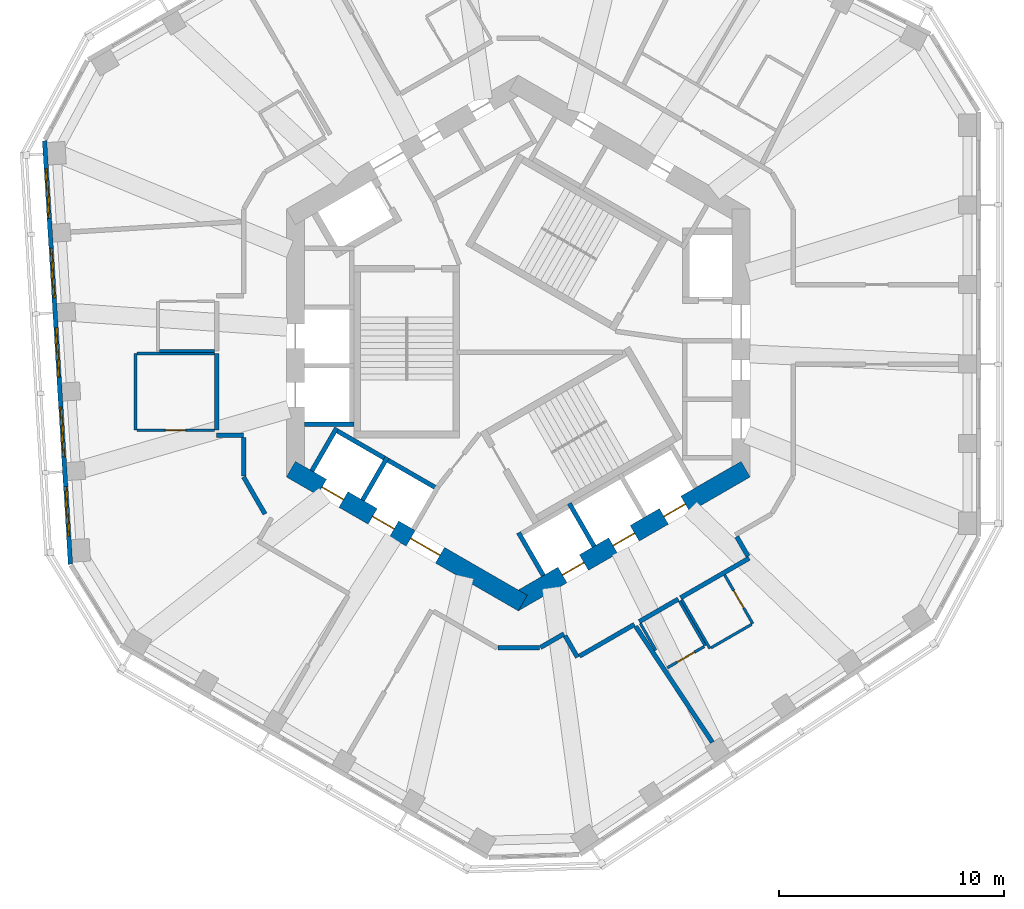
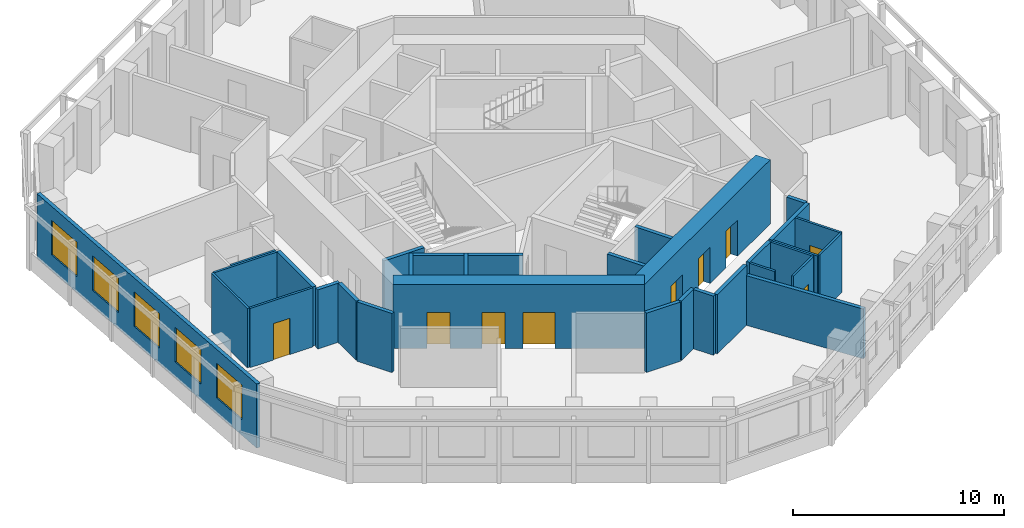
# One storey, part 4 of 11: 31 walls, 9 doors, 5 windows, 14 openings.
"""IFC4 building model written with IfcOpenShell, lengths in metres."""

from ifc_helpers import new_model, si_unit, direction, frame, frame_2d, origin, place, context, subcontext, project, spatial, rectangle, extrude, material, layer, layer_set, type_object, element, fill, save


model = new_model("IFC4")

# Units and contexts
model_context = context("Model", 3, precision=1e-05, world=origin(), true_north=direction((0.0, 1.0)))
body_context = subcontext(model_context, "Body", "Model", "MODEL_VIEW")
ifc_project = project(units=[si_unit("LENGTHUNIT", "METRE"), si_unit("AREAUNIT", "SQUARE_METRE"), si_unit("VOLUMEUNIT", "CUBIC_METRE"), si_unit("PLANEANGLEUNIT", "RADIAN"), si_unit("MASSUNIT", "GRAM", prefix="KILO")], contexts=[model_context])

# Site, building, storey
site_placement = place(None, origin())
site = spatial("IfcSite", under=ifc_project, at=site_placement, CompositionType="ELEMENT")
building_placement = place(site_placement, origin())
building = spatial("IfcBuilding", under=site, at=building_placement, Name="Vanh Sen Convention Tower", CompositionType="ELEMENT")
storey_placement = place(building_placement, frame((0.0, 0.0, 247.60009765625)))
storey = spatial("IfcBuildingStorey", under=building, at=storey_placement, Name="L61", CompositionType="ELEMENT", Elevation=247.60009765625)

# Walls
ifc_material_1 = material(Name="Moisture-resistant gypsum board on steel studs", Category="steel")
ifc_layer_1 = layer(ifc_material_1, 0.1201171875)
ifc_layer_set_1 = layer_set([ifc_layer_1], Name="Moisture-resistant gypsum board on steel studs")
wall_type_1 = type_object("IfcWallType", Name="Bathroom partition 120", PredefinedType="PARTITIONING", material=ifc_layer_set_1)
wall_1_placement = place(storey_placement, frame((-17.0009765625, -3.868896484375, 0.0), z_axis=(0.0, 0.0, 1.0), x_axis=(0.0, 1.0, 0.0)))
element("IfcWall", 1, at=wall_1_placement, inside=storey, type_object=wall_type_1, Name="Bathroom partition 120", PredefinedType="PARTITIONING", context=body_context, shape_type="SweptSolid", body=[
    extrude(rectangle(XDim=3.39990234375, YDim=0.1201171875, at=frame_2d((1.699951171875, 0.0))), origin(), (0.0, 0.0, 1.0), 3.419921875),
])
wall_2_placement = place(storey_placement, frame((-16.94091796875, -0.468994140625, 0.0), z_axis=(0.0, 0.0, 1.0), x_axis=(1.0, 0.0, 0.0)))
element("IfcWall", 2, at=wall_2_placement, inside=storey, type_object=wall_type_1, Name="Bathroom partition 120", PredefinedType="PARTITIONING", context=body_context, shape_type="SweptSolid", body=[
    extrude(rectangle(XDim=3.43994140625, YDim=0.1201171875, at=frame_2d((1.719970703125, 0.0))), origin(), (0.0, 0.0, 1.0), 3.419921875),
])

# Wall, opening, door
wall_3_placement = place(storey_placement, frame((-13.5009765625, -3.868896484375, 0.0), z_axis=(0.0, 0.0, 1.0), x_axis=(-1.0, 0.0, 0.0)))
wall_3 = element("IfcWall", 3, at=wall_3_placement, inside=storey, type_object=wall_type_1, Name="Bathroom partition 120", PredefinedType="PARTITIONING", context=body_context, shape_type="SweptSolid", body=[
    extrude(rectangle(XDim=3.43994140625, YDim=0.1201171875, at=frame_2d((1.719970703125, 0.0))), origin(), (0.0, 0.0, 1.0), 3.419921875),
])
opening_1_placement = place(wall_3_placement, frame((1.27001953125, 0.0, 0.0)))
opening_1 = element("IfcOpeningElement", 4, at=opening_1_placement, cuts=wall_3, Name="Opening D61112", PredefinedType="OPENING", context=body_context, shape_type="SweptSolid", body=[
    extrude(rectangle(XDim=0.89990234375, YDim=2.10009765625, at=frame_2d((0.449951171875, 1.050048828125))), frame((0.0, 0.070068359375, 0.0), z_axis=(0.0, -1.0, 0.0), x_axis=(1.0, 0.0, 0.0)), (0.0, 0.0, 1.0), 0.14013671875),
])
ifc_material_2 = material(Name="Laminate door in steel frame", Category="steel")
door_type_1 = type_object("IfcDoorType", Name="Room internal door 900", OperationType="SINGLE_SWING_LEFT", PredefinedType="DOOR", material=ifc_material_2)
door_1_placement = place(opening_1_placement, origin())
door_1 = element("IfcDoor", 5, at=door_1_placement, inside=storey, type_object=door_type_1, Name="Internal room door D61112", OperationType="SINGLE_SWING_LEFT", OverallHeight=2.10009765625, OverallWidth=0.89990234375, PredefinedType="DOOR", context=body_context, shape_type="SweptSolid", body=[
    extrude(rectangle(XDim=0.89990234375, YDim=2.10009765625, at=frame_2d((0.449951171875, 1.050048828125))), frame((0.0, 0.02490234375, 0.0), z_axis=(0.0, -1.0, 0.0), x_axis=(1.0, 0.0, 0.0)), (0.0, 0.0, 1.0), 0.050048828125),
])
fill(opening_1, door_1)

# Walls
wall_4_placement = place(storey_placement, frame((-13.5009765625, -0.34912109375, 0.0), z_axis=(0.0, 0.0, 1.0), x_axis=(-1.0, 0.0, 0.0)))
element("IfcWall", 6, at=wall_4_placement, inside=storey, type_object=wall_type_1, Name="Bathroom partition 120", PredefinedType="PARTITIONING", context=body_context, shape_type="SweptSolid", body=[
    extrude(rectangle(XDim=2.43994140625, YDim=0.1201171875, at=frame_2d((1.219970703125, 0.0))), origin(), (0.0, 0.0, 1.0), 3.419921875),
])
wall_5_placement = place(storey_placement, frame((6.10693359375, -13.64404296875, 0.0), z_axis=(0.0, 0.0, 1.0), x_axis=(-0.500072492706, 0.865983546056, 0.0)))
element("IfcWall", 7, at=wall_5_placement, inside=storey, type_object=wall_type_1, Name="Bathroom partition 120", PredefinedType="PARTITIONING", context=body_context, shape_type="SweptSolid", body=[
    extrude(rectangle(XDim=1.368408203125, YDim=0.1201171875, at=frame_2d((0.68408203125, 0.0))), origin(), (0.0, 0.0, 1.0), 3.419921875),
])
wall_6_placement = place(storey_placement, frame((7.154541015625, -11.458984375, 0.0), z_axis=(0.0, 0.0, 1.0), x_axis=(0.500077740698, -0.865980515519, 0.0)))
element("IfcWall", 8, at=wall_6_placement, inside=storey, type_object=wall_type_1, Name="Bathroom partition 120", PredefinedType="PARTITIONING", context=body_context, shape_type="SweptSolid", body=[
    extrude(rectangle(XDim=2.300048828125, YDim=0.1201171875, at=frame_2d((1.14990234375, 0.0))), origin(), (0.0, 0.0, 1.0), 3.419921875),
])

# Wall, opening, door
wall_7_placement = place(storey_placement, frame((8.252685546875, -13.480712890625, 0.0), z_axis=(0.0, 0.0, 1.0), x_axis=(-0.866045024864, -0.499966013754, 0.0)))
wall_7 = element("IfcWall", 9, at=wall_7_placement, inside=storey, type_object=wall_type_1, Name="Bathroom partition 120", PredefinedType="PARTITIONING", context=body_context, shape_type="SweptSolid", body=[
    extrude(rectangle(XDim=1.880126953125, YDim=0.1201171875, at=frame_2d((0.93994140625, 0.0))), origin(), (0.0, 0.0, 1.0), 3.419921875),
])
opening_2_placement = place(wall_7_placement, frame((0.489990234375, 0.0, 0.0)))
opening_2 = element("IfcOpeningElement", 10, at=opening_2_placement, cuts=wall_7, Name="Opening D61115", PredefinedType="OPENING", context=body_context, shape_type="SweptSolid", body=[
    extrude(rectangle(XDim=0.89990234375, YDim=2.10009765625, at=frame_2d((0.449951171875, 1.050048828125))), frame((0.0, 0.070068359375, 0.0), z_axis=(0.0, -1.0, 0.0), x_axis=(1.0, 0.0, 0.0)), (0.0, 0.0, 1.0), 0.14013671875),
])
door_2_placement = place(opening_2_placement, origin())
door_2 = element("IfcDoor", 11, at=door_2_placement, inside=storey, type_object=door_type_1, Name="Internal room door D61115", OperationType="SINGLE_SWING_LEFT", OverallHeight=2.10009765625, OverallWidth=0.89990234375, PredefinedType="DOOR", context=body_context, shape_type="SweptSolid", body=[
    extrude(rectangle(XDim=0.89990234375, YDim=2.10009765625, at=frame_2d((0.449951171875, 1.050048828125))), frame((0.0, 0.02490234375, 0.0), z_axis=(0.0, -1.0, 0.0), x_axis=(1.0, 0.0, 0.0)), (0.0, 0.0, 1.0), 0.050048828125),
])
fill(opening_2, door_2)

# Wall
wall_8_placement = place(storey_placement, frame((8.508544921875, -13.56396484375, 0.0), z_axis=(0.0, 0.0, 1.0), x_axis=(-0.500004234368, 0.866022959057, 0.0)))
element("IfcWall", 12, at=wall_8_placement, inside=storey, type_object=wall_type_1, Name="Bathroom partition 120", PredefinedType="PARTITIONING", context=body_context, shape_type="SweptSolid", body=[
    extrude(rectangle(XDim=2.5, YDim=0.1201171875, at=frame_2d((1.25, 0.0))), origin(), (0.0, 0.0, 1.0), 3.419921875),
])

# Wall, opening, door
wall_9_placement = place(storey_placement, frame((9.163818359375, -10.298828125, 0.0), z_axis=(0.0, 0.0, 1.0), x_axis=(0.500004234368, -0.866022959057, 0.0)))
wall_9 = element("IfcWall", 13, at=wall_9_placement, inside=storey, type_object=wall_type_1, Name="Bathroom partition 120", PredefinedType="PARTITIONING", context=body_context, shape_type="SweptSolid", body=[
    extrude(rectangle(XDim=2.5, YDim=0.1201171875, at=frame_2d((1.25, 0.0))), origin(), (0.0, 0.0, 1.0), 3.419921875),
])
opening_3_placement = place(wall_9_placement, frame((0.800048828125, 0.0, 0.0)))
opening_3 = element("IfcOpeningElement", 14, at=opening_3_placement, cuts=wall_9, Name="Opening D61116", PredefinedType="OPENING", context=body_context, shape_type="SweptSolid", body=[
    extrude(rectangle(XDim=0.89990234375, YDim=2.10009765625, at=frame_2d((0.449951171875, 1.050048828125))), frame((0.0, 0.070068359375, 0.0), z_axis=(0.0, -1.0, 0.0), x_axis=(1.0, 0.0, 0.0)), (0.0, 0.0, 1.0), 0.14013671875),
])
door_3_placement = place(opening_3_placement, origin())
door_3 = element("IfcDoor", 15, at=door_3_placement, inside=storey, type_object=door_type_1, Name="Internal room door D61116", OperationType="SINGLE_SWING_LEFT", OverallHeight=2.10009765625, OverallWidth=0.89990234375, PredefinedType="DOOR", context=body_context, shape_type="SweptSolid", body=[
    extrude(rectangle(XDim=0.89990234375, YDim=2.10009765625, at=frame_2d((0.449951171875, 1.050048828125))), frame((0.0, 0.02490234375, 0.0), z_axis=(0.0, -1.0, 0.0), x_axis=(1.0, 0.0, 0.0)), (0.0, 0.0, 1.0), 0.050048828125),
])
fill(opening_3, door_3)

# Wall
wall_10_placement = place(storey_placement, frame((10.36181640625, -12.493896484375, 0.0), z_axis=(0.0, 0.0, 1.0), x_axis=(-0.866009661879, -0.500027264788, 0.0)))
element("IfcWall", 16, at=wall_10_placement, inside=storey, type_object=wall_type_1, Name="Bathroom partition 120", PredefinedType="PARTITIONING", context=body_context, shape_type="SweptSolid", body=[
    extrude(rectangle(XDim=2.080078125, YDim=0.1201171875, at=frame_2d((1.0400390625, 0.0))), origin(), (0.0, 0.0, 1.0), 3.419921875),
])

# Wall, openings, doors
ifc_material_3 = material(Name="Concrete C60/75", Category="concrete")
ifc_layer_2 = layer(ifc_material_3, 0.800048828125)
ifc_layer_set_2 = layer_set([ifc_layer_2], Name="Concrete C60/75")
wall_type_2 = type_object("IfcWallType", Name="Core outer wall 800 C60/75", PredefinedType="SHEAR", material=ifc_layer_set_2)
wall_11_placement = place(storey_placement, frame((-10.10009765625, -5.600341796875, 0.0), z_axis=(0.0, 0.0, 1.0), x_axis=(0.866023897231, -0.500002609418, 0.0)))
wall_11 = element("IfcWall", 17, at=wall_11_placement, inside=storey, type_object=wall_type_2, Name="Core wall face SW L61", PredefinedType="SHEAR", context=body_context, shape_type="SweptSolid", body=[
    extrude(rectangle(XDim=11.8935546875, YDim=0.800048828125, at=frame_2d((5.94677734375, 0.0))), origin(), (0.0, 0.0, 1.0), 3.699951171875),
])
opening_4_placement = place(wall_11_placement, frame((6.146728515625, 0.0, 0.0)))
opening_4 = element("IfcOpeningElement", 18, at=opening_4_placement, cuts=wall_11, Name="Opening D61003", PredefinedType="OPENING", context=body_context, shape_type="SweptSolid", body=[
    extrude(rectangle(XDim=1.5, YDim=2.10009765625, at=frame_2d((0.75, 1.050048828125))), frame((0.0, 0.409912109375, 0.0), z_axis=(0.0, -1.0, 0.0), x_axis=(1.0, 0.0, 0.0)), (0.0, 0.0, 1.0), 0.820068359375),
])
opening_5_placement = place(wall_11_placement, frame((1.5966796875, 0.0, 0.0)))
opening_5 = element("IfcOpeningElement", 19, at=opening_5_placement, cuts=wall_11, Name="Opening LD-HR3", PredefinedType="OPENING", context=body_context, shape_type="SweptSolid", body=[
    extrude(rectangle(XDim=1.10009765625, YDim=2.10009765625, at=frame_2d((0.550048828125, 1.050048828125))), frame((0.0, 0.409912109375, 0.0), z_axis=(0.0, -1.0, 0.0), x_axis=(1.0, 0.0, 0.0)), (0.0, 0.0, 1.0), 0.820068359375),
])
opening_6_placement = place(wall_11_placement, frame((4.19677734375, 0.0, 0.0)))
opening_6 = element("IfcOpeningElement", 20, at=opening_6_placement, cuts=wall_11, Name="Opening LD-HR4", PredefinedType="OPENING", context=body_context, shape_type="SweptSolid", body=[
    extrude(rectangle(XDim=1.10009765625, YDim=2.10009765625, at=frame_2d((0.550048828125, 1.050048828125))), frame((0.0, 0.409912109375, 0.0), z_axis=(0.0, -1.0, 0.0), x_axis=(1.0, 0.0, 0.0)), (0.0, 0.0, 1.0), 0.820068359375),
])
ifc_material_4 = material(Name="Stainless steel", Category="steel")
door_type_2 = type_object("IfcDoorType", Name="Lift landing door 1100", OperationType="DOUBLE_DOOR_SLIDING", PredefinedType="DOOR", material=ifc_material_4)
door_4_placement = place(opening_5_placement, origin())
door_4 = element("IfcDoor", 21, at=door_4_placement, inside=storey, type_object=door_type_2, Name="Lift HR3 landing door LD-HR3", OperationType="DOUBLE_DOOR_SLIDING", OverallHeight=2.10009765625, OverallWidth=1.10009765625, PredefinedType="DOOR", context=body_context, shape_type="SweptSolid", body=[
    extrude(rectangle(XDim=1.10009765625, YDim=2.10009765625, at=frame_2d((0.550048828125, 1.050048828125))), frame((0.0, 0.02490234375, 0.0), z_axis=(0.0, -1.0, 0.0), x_axis=(1.0, 0.0, 0.0)), (0.0, 0.0, 1.0), 0.050048828125),
])
fill(opening_5, door_4)
door_5_placement = place(opening_6_placement, origin())
door_5 = element("IfcDoor", 22, at=door_5_placement, inside=storey, type_object=door_type_2, Name="Lift HR4 landing door LD-HR4", OperationType="DOUBLE_DOOR_SLIDING", OverallHeight=2.10009765625, OverallWidth=1.10009765625, PredefinedType="DOOR", context=body_context, shape_type="SweptSolid", body=[
    extrude(rectangle(XDim=1.10009765625, YDim=2.10009765625, at=frame_2d((0.550048828125, 1.050048828125))), frame((0.0, 0.02490234375, 0.0), z_axis=(0.0, -1.0, 0.0), x_axis=(1.0, 0.0, 0.0)), (0.0, 0.0, 1.0), 0.050048828125),
])
fill(opening_6, door_5)
ifc_material_5 = material(Name="Steel S355", Category="steel")
door_type_3 = type_object("IfcDoorType", Name="Stair lobby door 1500", OperationType="DOUBLE_DOOR_SINGLE_SWING", PredefinedType="DOOR", material=ifc_material_5)
door_6_placement = place(opening_4_placement, origin())
door_6 = element("IfcDoor", 23, at=door_6_placement, inside=storey, type_object=door_type_3, Name="Stair lobby door D61003", OperationType="DOUBLE_DOOR_SINGLE_SWING", OverallHeight=2.10009765625, OverallWidth=1.5, PredefinedType="DOOR", context=body_context, shape_type="SweptSolid", body=[
    extrude(rectangle(XDim=1.5, YDim=2.10009765625, at=frame_2d((0.75, 1.050048828125))), frame((0.0, 0.02490234375, 0.0), z_axis=(0.0, -1.0, 0.0), x_axis=(1.0, 0.0, 0.0)), (0.0, 0.0, 1.0), 0.050048828125),
])
fill(opening_4, door_6)

wall_12_placement = place(storey_placement, frame((-0.199951171875, -11.547119140625, 0.0), z_axis=(0.0, 0.0, 1.0), x_axis=(0.866023897231, 0.500002609418, 0.0)))
wall_12 = element("IfcWall", 24, at=wall_12_placement, inside=storey, type_object=wall_type_2, Name="Core wall face SE L61", PredefinedType="SHEAR", context=body_context, shape_type="SweptSolid", body=[
    extrude(rectangle(XDim=11.8935546875, YDim=0.800048828125, at=frame_2d((5.94677734375, 0.0))), origin(), (0.0, 0.0, 1.0), 3.699951171875),
])
opening_7_placement = place(wall_12_placement, frame((2.49658203125, 0.0, 0.0)))
opening_7 = element("IfcOpeningElement", 25, at=opening_7_placement, cuts=wall_12, Name="Opening LD-HR5", PredefinedType="OPENING", context=body_context, shape_type="SweptSolid", body=[
    extrude(rectangle(XDim=1.10009765625, YDim=2.10009765625, at=frame_2d((0.550048828125, 1.050048828125))), frame((0.0, 0.409912109375, 0.0), z_axis=(0.0, -1.0, 0.0), x_axis=(1.0, 0.0, 0.0)), (0.0, 0.0, 1.0), 0.820068359375),
])
opening_8_placement = place(wall_12_placement, frame((5.0966796875, 0.0, 0.0)))
opening_8 = element("IfcOpeningElement", 26, at=opening_8_placement, cuts=wall_12, Name="Opening LD-HR6", PredefinedType="OPENING", context=body_context, shape_type="SweptSolid", body=[
    extrude(rectangle(XDim=1.10009765625, YDim=2.10009765625, at=frame_2d((0.550048828125, 1.050048828125))), frame((0.0, 0.409912109375, 0.0), z_axis=(0.0, -1.0, 0.0), x_axis=(1.0, 0.0, 0.0)), (0.0, 0.0, 1.0), 0.820068359375),
])
opening_9_placement = place(wall_12_placement, frame((7.69677734375, 0.0, 0.0)))
opening_9 = element("IfcOpeningElement", 27, at=opening_9_placement, cuts=wall_12, Name="Opening LD-SV1", PredefinedType="OPENING", context=body_context, shape_type="SweptSolid", body=[
    extrude(rectangle(XDim=1.10009765625, YDim=2.10009765625, at=frame_2d((0.550048828125, 1.050048828125))), frame((0.0, 0.409912109375, 0.0), z_axis=(0.0, -1.0, 0.0), x_axis=(1.0, 0.0, 0.0)), (0.0, 0.0, 1.0), 0.820068359375),
])
door_7_placement = place(opening_7_placement, origin())
door_7 = element("IfcDoor", 28, at=door_7_placement, inside=storey, type_object=door_type_2, Name="Lift HR5 landing door LD-HR5", OperationType="DOUBLE_DOOR_SLIDING", OverallHeight=2.10009765625, OverallWidth=1.10009765625, PredefinedType="DOOR", context=body_context, shape_type="SweptSolid", body=[
    extrude(rectangle(XDim=1.10009765625, YDim=2.10009765625, at=frame_2d((0.550048828125, 1.050048828125))), frame((0.0, 0.02490234375, 0.0), z_axis=(0.0, -1.0, 0.0), x_axis=(1.0, 0.0, 0.0)), (0.0, 0.0, 1.0), 0.050048828125),
])
fill(opening_7, door_7)
door_8_placement = place(opening_8_placement, origin())
door_8 = element("IfcDoor", 29, at=door_8_placement, inside=storey, type_object=door_type_2, Name="Lift HR6 landing door LD-HR6", OperationType="DOUBLE_DOOR_SLIDING", OverallHeight=2.10009765625, OverallWidth=1.10009765625, PredefinedType="DOOR", context=body_context, shape_type="SweptSolid", body=[
    extrude(rectangle(XDim=1.10009765625, YDim=2.10009765625, at=frame_2d((0.550048828125, 1.050048828125))), frame((0.0, 0.02490234375, 0.0), z_axis=(0.0, -1.0, 0.0), x_axis=(1.0, 0.0, 0.0)), (0.0, 0.0, 1.0), 0.050048828125),
])
fill(opening_8, door_8)
door_9_placement = place(opening_9_placement, origin())
door_9 = element("IfcDoor", 30, at=door_9_placement, inside=storey, type_object=door_type_2, Name="Lift SV1 landing door LD-SV1", OperationType="DOUBLE_DOOR_SLIDING", OverallHeight=2.10009765625, OverallWidth=1.10009765625, PredefinedType="DOOR", context=body_context, shape_type="SweptSolid", body=[
    extrude(rectangle(XDim=1.10009765625, YDim=2.10009765625, at=frame_2d((0.550048828125, 1.050048828125))), frame((0.0, 0.02490234375, 0.0), z_axis=(0.0, -1.0, 0.0), x_axis=(1.0, 0.0, 0.0)), (0.0, 0.0, 1.0), 0.050048828125),
])
fill(opening_9, door_9)

# Walls
ifc_material_6 = material(Name="Gypsum board on steel studs with mineral wool", Category="steel")
ifc_layer_3 = layer(ifc_material_6, 0.199951171875)
ifc_layer_set_3 = layer_set([ifc_layer_3], Name="Gypsum board on steel studs with mineral wool")
wall_type_3 = type_object("IfcWallType", Name="Corridor partition wall 200", PredefinedType="PARTITIONING", material=ifc_layer_set_3)
wall_13_placement = place(storey_placement, frame((-13.40087890625, -4.10107421875, 0.0), z_axis=(0.0, 0.0, 1.0), x_axis=(1.0, 0.0, 0.0)))
element("IfcWall", 31, at=wall_13_placement, inside=storey, type_object=wall_type_3, Name="Corridor partition wall 200", PredefinedType="PARTITIONING", context=body_context, shape_type="SweptSolid", body=[
    extrude(rectangle(XDim=1.200927734375, YDim=0.199951171875, at=frame_2d((0.6005859375, 0.0))), origin(), (0.0, 0.0, 1.0), 3.419921875),
])
wall_14_placement = place(storey_placement, frame((-13.40087890625, -0.468994140625, 0.0), z_axis=(0.0, 0.0, 1.0), x_axis=(0.0, -1.0, 0.0)))
element("IfcWall", 32, at=wall_14_placement, inside=storey, type_object=wall_type_3, Name="Corridor partition wall 200", PredefinedType="PARTITIONING", context=body_context, shape_type="SweptSolid", body=[
    extrude(rectangle(XDim=3.39990234375, YDim=0.199951171875, at=frame_2d((1.699951171875, 0.0))), origin(), (0.0, 0.0, 1.0), 3.419921875),
])
wall_15_placement = place(storey_placement, frame((-12.199951171875, -5.94677734375, 0.0), z_axis=(0.0, 0.0, 1.0), x_axis=(0.500022797313, -0.86601224135, 0.0)))
element("IfcWall", 33, at=wall_15_placement, inside=storey, type_object=wall_type_3, Name="Corridor partition wall 200", PredefinedType="PARTITIONING", context=body_context, shape_type="SweptSolid", body=[
    extrude(rectangle(XDim=1.89990234375, YDim=0.199951171875, at=frame_2d((0.949951171875, 0.0))), origin(), (0.0, 0.0, 1.0), 3.419921875),
])
wall_16_placement = place(storey_placement, frame((-12.199951171875, -4.200927734375, 0.0), z_axis=(0.0, 0.0, 1.0), x_axis=(0.0, -1.0, 0.0)))
element("IfcWall", 34, at=wall_16_placement, inside=storey, type_object=wall_type_3, Name="Corridor partition wall 200", PredefinedType="PARTITIONING", context=body_context, shape_type="SweptSolid", body=[
    extrude(rectangle(XDim=1.705810546875, YDim=0.199951171875, at=frame_2d((0.85302734375, 0.0))), origin(), (0.0, 0.0, 1.0), 3.419921875),
])
wall_17_placement = place(storey_placement, frame((-0.909912109375, -13.538818359375, 0.0), z_axis=(0.0, 0.0, 1.0), x_axis=(1.0, 0.0, 0.0)))
element("IfcWall", 35, at=wall_17_placement, inside=storey, type_object=wall_type_3, Name="Corridor partition wall 200", PredefinedType="PARTITIONING", context=body_context, shape_type="SweptSolid", body=[
    extrude(rectangle(XDim=1.85986328125, YDim=0.199951171875, at=frame_2d((0.929931640625, 0.0))), origin(), (0.0, 0.0, 1.0), 3.419921875),
])
wall_18_placement = place(storey_placement, frame((0.984619140625, -13.518798828125, 0.0), z_axis=(0.0, 0.0, 1.0), x_axis=(0.866054082991, 0.499950322867, 0.0)))
element("IfcWall", 36, at=wall_18_placement, inside=storey, type_object=wall_type_3, Name="Corridor partition wall 200", PredefinedType="PARTITIONING", context=body_context, shape_type="SweptSolid", body=[
    extrude(rectangle(XDim=1.20556640625, YDim=0.199951171875, at=frame_2d((0.602783203125, 0.0))), origin(), (0.0, 0.0, 1.0), 3.419921875),
])
wall_19_placement = place(storey_placement, frame((2.078857421875, -13.002685546875, 0.0), z_axis=(0.0, 0.0, 1.0), x_axis=(0.500074377092, -0.865982457891, 0.0)))
element("IfcWall", 37, at=wall_19_placement, inside=storey, type_object=wall_type_3, Name="Corridor partition wall 200", PredefinedType="PARTITIONING", context=body_context, shape_type="SweptSolid", body=[
    extrude(rectangle(XDim=1.100830078125, YDim=0.199951171875, at=frame_2d((0.55029296875, 0.0))), origin(), (0.0, 0.0, 1.0), 3.419921875),
])
wall_20_placement = place(storey_placement, frame((2.7158203125, -13.906005859375, 0.0), z_axis=(0.0, 0.0, 1.0), x_axis=(0.866048512801, 0.499959971872, 0.0)))
element("IfcWall", 38, at=wall_20_placement, inside=storey, type_object=wall_type_3, Name="Corridor partition wall 200", PredefinedType="PARTITIONING", context=body_context, shape_type="SweptSolid", body=[
    extrude(rectangle(XDim=2.817626953125, YDim=0.199951171875, at=frame_2d((1.40869140625, 0.0))), origin(), (0.0, 0.0, 1.0), 3.419921875),
])
wall_21_placement = place(storey_placement, frame((5.37255859375, -12.372314453125, 0.0), z_axis=(0.0, 0.0, 1.0), x_axis=(0.866010750942, 0.50002537861, 0.0)))
element("IfcWall", 39, at=wall_21_placement, inside=storey, type_object=wall_type_3, Name="Corridor partition wall 200", PredefinedType="PARTITIONING", context=body_context, shape_type="SweptSolid", body=[
    extrude(rectangle(XDim=2.0, YDim=0.199951171875, at=frame_2d((1.0, 0.0))), origin(), (0.0, 0.0, 1.0), 3.419921875),
])
wall_22_placement = place(storey_placement, frame((7.20849609375, -11.312255859375, 0.0), z_axis=(0.0, 0.0, 1.0), x_axis=(0.866050243185, 0.499956974429, 0.0)))
element("IfcWall", 40, at=wall_22_placement, inside=storey, type_object=wall_type_3, Name="Corridor partition wall 200", PredefinedType="PARTITIONING", context=body_context, shape_type="SweptSolid", body=[
    extrude(rectangle(XDim=3.514404296875, YDim=0.199951171875, at=frame_2d((1.75732421875, 0.0))), origin(), (0.0, 0.0, 1.0), 3.419921875),
])
wall_23_placement = place(storey_placement, frame((10.2021484375, -9.468505859375, 0.0), z_axis=(0.0, 0.0, 1.0), x_axis=(-0.499968756647, 0.866043441391, 0.0)))
element("IfcWall", 41, at=wall_23_placement, inside=storey, type_object=wall_type_3, Name="Corridor partition wall 200", PredefinedType="PARTITIONING", context=body_context, shape_type="SweptSolid", body=[
    extrude(rectangle(XDim=1.0009765625, YDim=0.199951171875, at=frame_2d((0.50048828125, 0.0))), origin(), (0.0, 0.0, 1.0), 3.419921875),
])

# Wall, openings, windows
ifc_material_7 = material(Name="Insulated lightweight infill wall")
ifc_layer_4 = layer(ifc_material_7, 0.199951171875)
ifc_layer_set_4 = layer_set([ifc_layer_4], Name="Insulated lightweight infill wall")
wall_type_4 = type_object("IfcWallType", Name="External wall 200", PredefinedType="STANDARD", material=ifc_layer_set_4)
wall_24_placement = place(storey_placement, frame((-21.03759765625, 8.983642578125, 0.0), z_axis=(0.0, 0.0, 1.0), x_axis=(0.061043935634, -0.998135079998, 0.0)))
wall_24 = element("IfcWall", 42, at=wall_24_placement, inside=storey, type_object=wall_type_4, Name="External wall W L61", PredefinedType="STANDARD", context=body_context, shape_type="SweptSolid", body=[
    extrude(rectangle(XDim=18.84130859375, YDim=0.199951171875, at=frame_2d((9.420654296875, 0.0))), origin(), (0.0, 0.0, 1.0), 3.699951171875),
])
opening_10_placement = place(wall_24_placement, frame((1.252685546875, 0.0, 0.89990234375)))
opening_10 = element("IfcOpeningElement", 43, at=opening_10_placement, cuts=wall_24, Name="Opening WO3-W1", PredefinedType="OPENING", context=body_context, shape_type="SweptSolid", body=[
    extrude(rectangle(XDim=2.199951171875, YDim=2.0, at=frame_2d((1.10009765625, 1.0))), frame((0.0, 0.10986328125, 0.0), z_axis=(0.0, -1.0, 0.0), x_axis=(1.0, 0.0, 0.0)), (0.0, 0.0, 1.0), 0.219970703125),
])
opening_11_placement = place(wall_24_placement, frame((4.7861328125, 0.0, 0.89990234375)))
opening_11 = element("IfcOpeningElement", 44, at=opening_11_placement, cuts=wall_24, Name="Opening WO3-W2", PredefinedType="OPENING", context=body_context, shape_type="SweptSolid", body=[
    extrude(rectangle(XDim=2.199951171875, YDim=2.0, at=frame_2d((1.10009765625, 1.0))), frame((0.0, 0.10986328125, 0.0), z_axis=(0.0, -1.0, 0.0), x_axis=(1.0, 0.0, 0.0)), (0.0, 0.0, 1.0), 0.219970703125),
])
opening_12_placement = place(wall_24_placement, frame((8.31982421875, 0.0, 0.89990234375)))
opening_12 = element("IfcOpeningElement", 45, at=opening_12_placement, cuts=wall_24, Name="Opening WO3-W3", PredefinedType="OPENING", context=body_context, shape_type="SweptSolid", body=[
    extrude(rectangle(XDim=2.199951171875, YDim=2.0, at=frame_2d((1.10009765625, 1.0))), frame((0.0, 0.10986328125, 0.0), z_axis=(0.0, -1.0, 0.0), x_axis=(1.0, 0.0, 0.0)), (0.0, 0.0, 1.0), 0.219970703125),
])
opening_13_placement = place(wall_24_placement, frame((11.853515625, 0.0, 0.89990234375)))
opening_13 = element("IfcOpeningElement", 46, at=opening_13_placement, cuts=wall_24, Name="Opening WO3-W4", PredefinedType="OPENING", context=body_context, shape_type="SweptSolid", body=[
    extrude(rectangle(XDim=2.199951171875, YDim=2.0, at=frame_2d((1.10009765625, 1.0))), frame((0.0, 0.10986328125, 0.0), z_axis=(0.0, -1.0, 0.0), x_axis=(1.0, 0.0, 0.0)), (0.0, 0.0, 1.0), 0.219970703125),
])
opening_14_placement = place(wall_24_placement, frame((15.38720703125, 0.0, 0.89990234375)))
opening_14 = element("IfcOpeningElement", 47, at=opening_14_placement, cuts=wall_24, Name="Opening WO3-W5", PredefinedType="OPENING", context=body_context, shape_type="SweptSolid", body=[
    extrude(rectangle(XDim=2.199951171875, YDim=2.0, at=frame_2d((1.10009765625, 1.0))), frame((0.0, 0.10986328125, 0.0), z_axis=(0.0, -1.0, 0.0), x_axis=(1.0, 0.0, 0.0)), (0.0, 0.0, 1.0), 0.219970703125),
])
ifc_material_8 = material(Name="Aluminium frame with clear low-emissivity glass", Category="aluminium")
window_type = type_object("IfcWindowType", Name="Office window 2200 x 2000", PartitioningType="SINGLE_PANEL", PredefinedType="WINDOW", material=ifc_material_8)
window_1_placement = place(opening_10_placement, origin())
window_1 = element("IfcWindow", 48, at=window_1_placement, inside=storey, type_object=window_type, Name="Window WO3-W1", OverallHeight=2.0, OverallWidth=2.199951171875, PartitioningType="SINGLE_PANEL", PredefinedType="WINDOW", context=body_context, shape_type="SweptSolid", body=[
    extrude(rectangle(XDim=2.199951171875, YDim=2.0, at=frame_2d((1.10009765625, 1.0))), frame((0.0, 0.030029296875, 0.0), z_axis=(0.0, -1.0, 0.0), x_axis=(1.0, 0.0, 0.0)), (0.0, 0.0, 1.0), 0.06005859375),
])
fill(opening_10, window_1)
window_2_placement = place(opening_11_placement, origin())
window_2 = element("IfcWindow", 49, at=window_2_placement, inside=storey, type_object=window_type, Name="Window WO3-W2", OverallHeight=2.0, OverallWidth=2.199951171875, PartitioningType="SINGLE_PANEL", PredefinedType="WINDOW", context=body_context, shape_type="SweptSolid", body=[
    extrude(rectangle(XDim=2.199951171875, YDim=2.0, at=frame_2d((1.10009765625, 1.0))), frame((0.0, 0.030029296875, 0.0), z_axis=(0.0, -1.0, 0.0), x_axis=(1.0, 0.0, 0.0)), (0.0, 0.0, 1.0), 0.06005859375),
])
fill(opening_11, window_2)
window_3_placement = place(opening_12_placement, origin())
window_3 = element("IfcWindow", 50, at=window_3_placement, inside=storey, type_object=window_type, Name="Window WO3-W3", OverallHeight=2.0, OverallWidth=2.199951171875, PartitioningType="SINGLE_PANEL", PredefinedType="WINDOW", context=body_context, shape_type="SweptSolid", body=[
    extrude(rectangle(XDim=2.199951171875, YDim=2.0, at=frame_2d((1.10009765625, 1.0))), frame((0.0, 0.030029296875, 0.0), z_axis=(0.0, -1.0, 0.0), x_axis=(1.0, 0.0, 0.0)), (0.0, 0.0, 1.0), 0.06005859375),
])
fill(opening_12, window_3)
window_4_placement = place(opening_13_placement, origin())
window_4 = element("IfcWindow", 51, at=window_4_placement, inside=storey, type_object=window_type, Name="Window WO3-W4", OverallHeight=2.0, OverallWidth=2.199951171875, PartitioningType="SINGLE_PANEL", PredefinedType="WINDOW", context=body_context, shape_type="SweptSolid", body=[
    extrude(rectangle(XDim=2.199951171875, YDim=2.0, at=frame_2d((1.10009765625, 1.0))), frame((0.0, 0.030029296875, 0.0), z_axis=(0.0, -1.0, 0.0), x_axis=(1.0, 0.0, 0.0)), (0.0, 0.0, 1.0), 0.06005859375),
])
fill(opening_13, window_4)
window_5_placement = place(opening_14_placement, origin())
window_5 = element("IfcWindow", 52, at=window_5_placement, inside=storey, type_object=window_type, Name="Window WO3-W5", OverallHeight=2.0, OverallWidth=2.199951171875, PartitioningType="SINGLE_PANEL", PredefinedType="WINDOW", context=body_context, shape_type="SweptSolid", body=[
    extrude(rectangle(XDim=2.199951171875, YDim=2.0, at=frame_2d((1.10009765625, 1.0))), frame((0.0, 0.030029296875, 0.0), z_axis=(0.0, -1.0, 0.0), x_axis=(1.0, 0.0, 0.0)), (0.0, 0.0, 1.0), 0.06005859375),
])
fill(opening_14, window_5)

# Walls
ifc_material_9 = material(Name="Concrete C40/50", Category="concrete")
ifc_layer_5 = layer(ifc_material_9, 0.199951171875)
ifc_layer_set_5 = layer_set([ifc_layer_5], Name="Concrete C40/50")
wall_type_5 = type_object("IfcWallType", Name="Lift shaft wall 200", PredefinedType="PARTITIONING", material=ifc_layer_set_5)
wall_25_placement = place(storey_placement, frame((-7.300048828125, -3.60009765625, 0.0), z_axis=(0.0, 0.0, 1.0), x_axis=(-1.0, 0.0, 0.0)))
element("IfcWall", 53, at=wall_25_placement, inside=storey, type_object=wall_type_5, Name="Lift shaft wall L61", PredefinedType="PARTITIONING", context=body_context, shape_type="SweptSolid", body=[
    extrude(rectangle(XDim=2.199951171875, YDim=0.199951171875, at=frame_2d((1.10009765625, 0.0))), origin(), (0.0, 0.0, 1.0), 3.419921875),
])
wall_26_placement = place(storey_placement, frame((-8.203369140625, -3.80859375, 0.0), z_axis=(0.0, 0.0, 1.0), x_axis=(0.866028230842, -0.499995103361, 0.0)))
element("IfcWall", 54, at=wall_26_placement, inside=storey, type_object=wall_type_5, Name="Lift shaft wall L61", PredefinedType="PARTITIONING", context=body_context, shape_type="SweptSolid", body=[
    extrude(rectangle(XDim=5.39990234375, YDim=0.199951171875, at=frame_2d((2.699951171875, 0.0))), origin(), (0.0, 0.0, 1.0), 3.419921875),
])
for number, where, z_axis, x_axis, name in (
    (55, (-8.066650390625, -3.77197265625, 0.0), (0.0, 0.0, 1.0), (-0.50002983664, -0.866008176907, 0.0), "Lift shaft wall L61"),
    (56, (-5.815185546875, -5.072021484375, 0.0), (0.0, 0.0, 1.0), (-0.499946605688, -0.86605622881, 0.0), "Lift shaft wall L61"),
    (57, (0.0126953125, -8.422119140625, 0.0), (0.0, 0.0, 1.0), (0.500077893725, -0.86598042715, 0.0), "Lift shaft wall L61"),
    (58, (2.264404296875, -7.1220703125, 0.0), (0.0, 0.0, 1.0), (0.500077893725, -0.86598042715, 0.0), "Lift shaft wall L61"),
):
    element("IfcWall", number, at=place(storey_placement, frame(where, z_axis=z_axis, x_axis=x_axis)), inside=storey, type_object=wall_type_5, Name=name, PredefinedType="PARTITIONING", context=body_context, shape_type="SweptSolid", body=[
        extrude(rectangle(XDim=2.199951171875, YDim=0.199951171875, at=frame_2d((1.10009765625, 0.0))), origin(), (0.0, 0.0, 1.0), 3.419921875),
    ])
ifc_layer_6 = layer(ifc_material_6, 0.199951171875)
ifc_layer_set_6 = layer_set([ifc_layer_6], Name="Gypsum board on steel studs with mineral wool")
wall_type_6 = type_object("IfcWallType", Name="Tenant suite wall 200", PredefinedType="PARTITIONING", material=ifc_layer_set_6)
wall_27_placement = place(storey_placement, frame((8.623779296875, -17.736572265625, 0.0), z_axis=(0.0, 0.0, 1.0), x_axis=(-0.551945242328, 0.833880356809, 0.0)))
element("IfcWall", 59, at=wall_27_placement, inside=storey, type_object=wall_type_6, Name="Tenant suite wall 200", PredefinedType="PARTITIONING", context=body_context, shape_type="SweptSolid", body=[
    extrude(rectangle(XDim=6.182861328125, YDim=0.199951171875, at=frame_2d((3.09130859375, 0.0))), origin(), (0.0, 0.0, 1.0), 2.869873046875),
])

save(model, "model.ifc")
